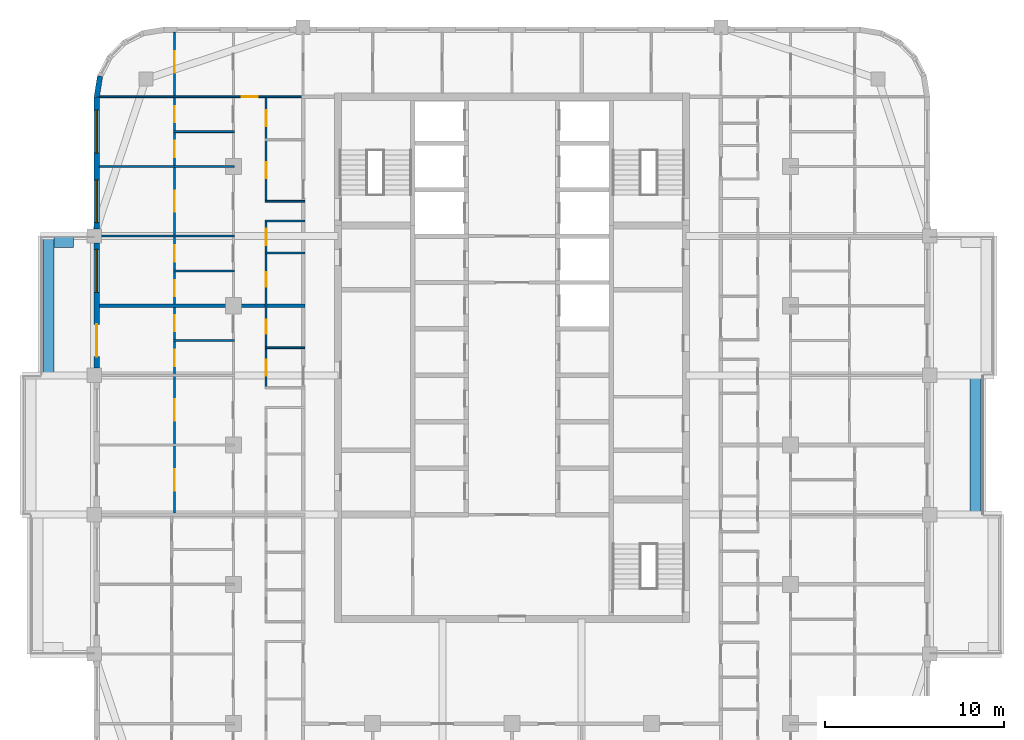
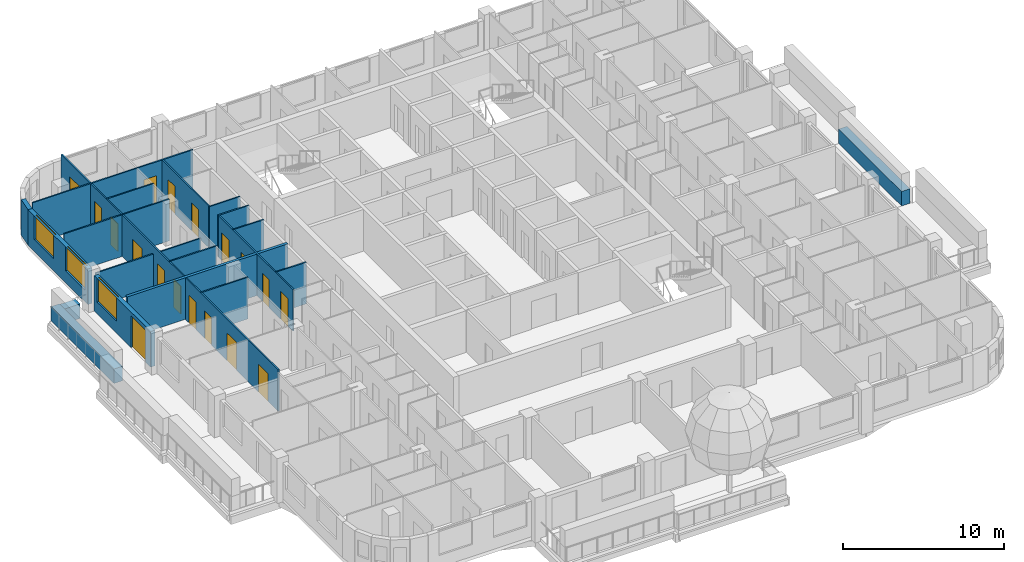
# One storey, part 8 of 17: 20 walls, 18 doors, 3 windows, 21 openings.
"""IFC4 building model written with IfcOpenShell, lengths in metres."""

from ifc_helpers import new_model, si_unit, direction, frame, frame_2d, origin, place, context, subcontext, project, spatial, rectangle, extrude, material, layer, layer_set, type_object, element, fill, save


model = new_model("IFC4")

# Units and contexts
model_context = context("Model", 3, precision=1e-05, world=origin(), true_north=direction((0.0, 1.0)))
body_context = subcontext(model_context, "Body", "Model", "MODEL_VIEW")
ifc_project = project(units=[si_unit("LENGTHUNIT", "METRE"), si_unit("AREAUNIT", "SQUARE_METRE"), si_unit("VOLUMEUNIT", "CUBIC_METRE"), si_unit("PLANEANGLEUNIT", "RADIAN"), si_unit("MASSUNIT", "GRAM", prefix="KILO")], contexts=[model_context])

# Site, building, storey
site_placement = place(None, origin())
site = spatial("IfcSite", under=ifc_project, at=site_placement, CompositionType="ELEMENT")
building_placement = place(site_placement, origin())
building = spatial("IfcBuilding", under=site, at=building_placement, Name="Ludao Terraces", CompositionType="ELEMENT")
storey_placement = place(building_placement, frame((0.0, 0.0, 221.10009765625)))
storey = spatial("IfcBuildingStorey", under=building, at=storey_placement, Name="L60", CompositionType="ELEMENT", Elevation=221.10009765625)

# Walls
ifc_material_1 = material(Name="Concrete C40", Category="concrete")
ifc_layer_1 = layer(ifc_material_1, 0.60009765625)
ifc_layer_set_1 = layer_set([ifc_layer_1], Name="ENV Planter trough 600")
wall_type_1 = type_object("IfcWallType", Name="ENV Planter trough 600", PredefinedType="USERDEFINED", material=ifc_layer_set_1)
wall_1_placement = place(storey_placement, frame((110.949951171875, 61.10009765625, 0.0), z_axis=(0.0, 0.0, 1.0), x_axis=(0.0, 1.0, 0.0)))
element("IfcWall", 1, at=wall_1_placement, inside=storey, type_object=wall_type_1, Name="PL-L60-E2", ObjectType="PLANTER", PredefinedType="USERDEFINED", context=body_context, shape_type="SweptSolid", body=[
    extrude(rectangle(XDim=7.7998046875, YDim=0.60009765625, at=frame_2d((3.89990234375, 0.0))), origin(), (0.0, 0.0, 1.0), 1.099853515625),
])
wall_2_placement = place(storey_placement, frame((59.050048828125, 68.89990234375, 0.0), z_axis=(0.0, 0.0, 1.0), x_axis=(0.0, 1.0, 0.0)))
element("IfcWall", 2, at=wall_2_placement, inside=storey, type_object=wall_type_1, Name="PL-L60-W3", ObjectType="PLANTER", PredefinedType="USERDEFINED", context=body_context, shape_type="SweptSolid", body=[
    extrude(rectangle(XDim=7.800048828125, YDim=0.60009765625, at=frame_2d((3.89990234375, 0.0))), origin(), (0.0, 0.0, 1.0), 1.099853515625),
])
wall_3_placement = place(storey_placement, frame((59.35009765625, 76.35009765625, 0.0), z_axis=(0.0, 0.0, 1.0), x_axis=(1.0, 0.0, 0.0)))
element("IfcWall", 3, at=wall_3_placement, inside=storey, type_object=wall_type_1, Name="PL-L60-W3-SB", ObjectType="PLANTER", PredefinedType="USERDEFINED", context=body_context, shape_type="SweptSolid", body=[
    extrude(rectangle(XDim=1.099853515625, YDim=0.60009765625, at=frame_2d((0.5498046875, 0.0))), origin(), (0.0, 0.0, 1.0), 1.099853515625),
])

# Wall, openings, door, window
ifc_material_2 = material(Name="Granite cladding", Category="masonry")
ifc_layer_2 = layer(ifc_material_2, 0.0400390625, Category="stone")
ifc_material_3 = material(Name="Mineral wool")
ifc_layer_3 = layer(ifc_material_3, 0.06005859375)
ifc_layer_4 = layer(ifc_material_1, 0.199951171875, Category="concrete")
ifc_layer_set_2 = layer_set([ifc_layer_2, ifc_layer_3, ifc_layer_4], Name="ENV Stone-clad wall 300")
wall_type_2 = type_object("IfcWallType", Name="ENV Stone-clad wall 300", PredefinedType="SOLIDWALL", material=ifc_layer_set_2)
wall_4_placement = place(storey_placement, frame((61.75, 69.300048828125, 0.0), z_axis=(0.0, 0.0, 1.0), x_axis=(0.0, 1.0, 0.0)))
wall_4 = element("IfcWall", 4, at=wall_4_placement, inside=storey, type_object=wall_type_2, Name="EW-L60-W4", PredefinedType="SOLIDWALL", context=body_context, shape_type="SweptSolid", body=[
    extrude(rectangle(XDim=7.0, YDim=0.300048828125, at=frame_2d((3.5, 0.0))), origin(), (0.0, 0.0, 1.0), 2.699951171875),
])
opening_1_placement = place(wall_4_placement, frame((0.64990234375, 0.0, 0.0)))
opening_1 = element("IfcOpeningElement", 5, at=opening_1_placement, cuts=wall_4, Name="Opening BD", PredefinedType="OPENING", context=body_context, shape_type="SweptSolid", body=[
    extrude(rectangle(XDim=1.800048828125, YDim=2.39990234375, at=frame_2d((0.89990234375, 1.199951171875))), frame((0.0, 0.16015625, 0.0), z_axis=(0.0, -1.0, 0.0), x_axis=(1.0, 0.0, 0.0)), (0.0, 0.0, 1.0), 0.320068359375),
])
opening_2_placement = place(wall_4_placement, frame((4.25, 0.0, 0.89990234375)))
opening_2 = element("IfcOpeningElement", 6, at=opening_2_placement, cuts=wall_4, Name="Opening W1", PredefinedType="OPENING", context=body_context, shape_type="SweptSolid", body=[
    extrude(rectangle(XDim=2.39990234375, YDim=1.800048828125, at=frame_2d((1.199951171875, 0.89990234375))), frame((0.0, 0.16015625, 0.0), z_axis=(0.0, -1.0, 0.0), x_axis=(1.0, 0.0, 0.0)), (0.0, 0.0, 1.0), 0.320068359375),
])
ifc_material_4 = material(Name="Aluminium glazed door", Category="aluminium")
ifc_layer_5 = layer(ifc_material_4, 0.06005859375)
ifc_layer_set_3 = layer_set([ifc_layer_5], Name="ENV Balcony door BD 1800x2400")
door_type_1 = type_object("IfcDoorType", Name="ENV Balcony door BD 1800x2400", OperationType="DOUBLE_DOOR_SINGLE_SWING", PredefinedType="DOOR", material=ifc_layer_set_3)
door_1_placement = place(opening_1_placement, origin())
door_1 = element("IfcDoor", 7, at=door_1_placement, inside=storey, type_object=door_type_1, Name="BD-L60-W4-1", OperationType="DOUBLE_DOOR_SINGLE_SWING", OverallHeight=2.39990234375, OverallWidth=1.800048828125, PredefinedType="DOOR", context=body_context, shape_type="SweptSolid", body=[
    extrude(rectangle(XDim=1.800048828125, YDim=2.39990234375, at=frame_2d((0.89990234375, 1.199951171875))), frame((0.0, 0.02490234375, 0.0), z_axis=(0.0, -1.0, 0.0), x_axis=(1.0, 0.0, 0.0)), (0.0, 0.0, 1.0), 0.050048828125),
])
fill(opening_1, door_1)
ifc_material_5 = material(Name="Clear glass in aluminium frame", Category="aluminium")
ifc_layer_6 = layer(ifc_material_5, 0.06005859375)
ifc_layer_set_4 = layer_set([ifc_layer_6], Name="ENV Window W1 2400x1800")
window_type = type_object("IfcWindowType", Name="ENV Window W1 2400x1800", PartitioningType="DOUBLE_PANEL_VERTICAL", PredefinedType="WINDOW", material=ifc_layer_set_4)
window_1_placement = place(opening_2_placement, origin())
window_1 = element("IfcWindow", 8, at=window_1_placement, inside=storey, type_object=window_type, Name="W-L60-W4-2", OverallHeight=1.800048828125, OverallWidth=2.39990234375, PartitioningType="DOUBLE_PANEL_VERTICAL", PredefinedType="WINDOW", context=body_context, shape_type="SweptSolid", body=[
    extrude(rectangle(XDim=2.39990234375, YDim=1.800048828125, at=frame_2d((1.199951171875, 0.89990234375))), frame((0.0, 0.030029296875, 0.0), z_axis=(0.0, -1.0, 0.0), x_axis=(1.0, 0.0, 0.0)), (0.0, 0.0, 1.0), 0.06005859375),
])
fill(opening_2, window_1)

# Wall, openings, windows
wall_5_placement = place(storey_placement, frame((61.75, 77.10009765625, 0.0), z_axis=(0.0, 0.0, 1.0), x_axis=(0.0, 1.0, 0.0)))
wall_5 = element("IfcWall", 9, at=wall_5_placement, inside=storey, type_object=wall_type_2, Name="EW-L60-W5", PredefinedType="SOLIDWALL", context=body_context, shape_type="SweptSolid", body=[
    extrude(rectangle(XDim=7.39990234375, YDim=0.300048828125, at=frame_2d((3.699951171875, 0.0))), origin(), (0.0, 0.0, 1.0), 2.699951171875),
])
opening_3_placement = place(wall_5_placement, frame((0.35009765625, 0.0, 0.89990234375)))
opening_3 = element("IfcOpeningElement", 10, at=opening_3_placement, cuts=wall_5, Name="Opening W1", PredefinedType="OPENING", context=body_context, shape_type="SweptSolid", body=[
    extrude(rectangle(XDim=2.39990234375, YDim=1.800048828125, at=frame_2d((1.199951171875, 0.89990234375))), frame((0.0, 0.16015625, 0.0), z_axis=(0.0, -1.0, 0.0), x_axis=(1.0, 0.0, 0.0)), (0.0, 0.0, 1.0), 0.320068359375),
])
opening_4_placement = place(wall_5_placement, frame((4.25, 0.0, 0.89990234375)))
opening_4 = element("IfcOpeningElement", 11, at=opening_4_placement, cuts=wall_5, Name="Opening W1", PredefinedType="OPENING", context=body_context, shape_type="SweptSolid", body=[
    extrude(rectangle(XDim=2.39990234375, YDim=1.800048828125, at=frame_2d((1.199951171875, 0.89990234375))), frame((0.0, 0.16015625, 0.0), z_axis=(0.0, -1.0, 0.0), x_axis=(1.0, 0.0, 0.0)), (0.0, 0.0, 1.0), 0.320068359375),
])
window_2_placement = place(opening_3_placement, origin())
window_2 = element("IfcWindow", 12, at=window_2_placement, inside=storey, type_object=window_type, Name="W-L60-W5-1", OverallHeight=1.800048828125, OverallWidth=2.39990234375, PartitioningType="DOUBLE_PANEL_VERTICAL", PredefinedType="WINDOW", context=body_context, shape_type="SweptSolid", body=[
    extrude(rectangle(XDim=2.39990234375, YDim=1.800048828125, at=frame_2d((1.199951171875, 0.89990234375))), frame((0.0, 0.030029296875, 0.0), z_axis=(0.0, -1.0, 0.0), x_axis=(1.0, 0.0, 0.0)), (0.0, 0.0, 1.0), 0.06005859375),
])
fill(opening_3, window_2)
window_3_placement = place(opening_4_placement, origin())
window_3 = element("IfcWindow", 13, at=window_3_placement, inside=storey, type_object=window_type, Name="W-L60-W5-2", OverallHeight=1.800048828125, OverallWidth=2.39990234375, PartitioningType="DOUBLE_PANEL_VERTICAL", PredefinedType="WINDOW", context=body_context, shape_type="SweptSolid", body=[
    extrude(rectangle(XDim=2.39990234375, YDim=1.800048828125, at=frame_2d((1.199951171875, 0.89990234375))), frame((0.0, 0.030029296875, 0.0), z_axis=(0.0, -1.0, 0.0), x_axis=(1.0, 0.0, 0.0)), (0.0, 0.0, 1.0), 0.06005859375),
])
fill(opening_4, window_3)

# Walls
wall_6_placement = place(storey_placement, frame((61.93359375, 85.65869140625, 0.0), z_axis=(0.0, 0.0, 1.0), x_axis=(-0.156496880861, -0.987678452879, 0.0)))
element("IfcWall", 14, at=wall_6_placement, inside=storey, type_object=wall_type_2, Name="EW-L60-NW5", PredefinedType="SOLIDWALL", context=body_context, shape_type="SweptSolid", body=[
    extrude(rectangle(XDim=1.173095703125, YDim=0.300048828125, at=frame_2d((0.58642578125, 0.0))), origin(), (0.0, 0.0, 1.0), 2.699951171875),
])
ifc_material_6 = material(Name="Gypsum plasterboard", Category="gypsum")
ifc_layer_7 = layer(ifc_material_6, 0.012451171875, Category="gypsum")
ifc_layer_8 = layer(ifc_material_3, 0.06005859375, Name="insulation")
ifc_material_7 = material(Name="Steel Q235", Category="steel")
ifc_layer_9 = layer(ifc_material_7, 0.014892578125, Name="stud")
ifc_layer_10 = layer(ifc_material_6, 0.012451171875, Category="gypsum")
ifc_layer_set_5 = layer_set([ifc_layer_7, ifc_layer_8, ifc_layer_9, ifc_layer_10], Name="INT Partition 100")
wall_type_3 = type_object("IfcWallType", Name="INT Partition 100", PredefinedType="PARTITIONING", material=ifc_layer_set_5)
wall_7_placement = place(storey_placement, frame((71.18017578125, 70.449951171875, 0.0), z_axis=(0.0, 0.0, 1.0), x_axis=(1.0, 0.0, 0.0)))
element("IfcWall", 15, at=wall_7_placement, inside=storey, type_object=wall_type_3, Name="PW-L60-PW041", PredefinedType="PARTITIONING", context=body_context, shape_type="SweptSolid", body=[
    extrude(rectangle(XDim=2.219970703125, YDim=0.10009765625, at=frame_2d((1.10986328125, 0.0))), origin(), (0.0, 0.0, 1.0), 3.14990234375),
])
for number, where, z_axis, x_axis, name in (
    (16, (66.050048828125, 70.85009765625, 0.0), (0.0, 0.0, 1.0), (1.0, 0.0, 0.0), "PW-L60-PW042"),
    (17, (66.050048828125, 74.75, 0.0), (0.0, 0.0, 1.0), (1.0, 0.0, 0.0), "PW-L60-PW049"),
):
    element("IfcWall", number, at=place(storey_placement, frame(where, z_axis=z_axis, x_axis=x_axis)), inside=storey, type_object=wall_type_3, Name=name, PredefinedType="PARTITIONING", context=body_context, shape_type="SweptSolid", body=[
        extrude(rectangle(XDim=3.400146484375, YDim=0.10009765625, at=frame_2d((1.7001953125, 0.0))), origin(), (0.0, 0.0, 1.0), 3.14990234375),
    ])
wall_8_placement = place(storey_placement, frame((71.18017578125, 75.75, 0.0), z_axis=(0.0, 0.0, 1.0), x_axis=(1.0, 0.0, 0.0)))
element("IfcWall", 18, at=wall_8_placement, inside=storey, type_object=wall_type_3, Name="PW-L60-PW051", PredefinedType="PARTITIONING", context=body_context, shape_type="SweptSolid", body=[
    extrude(rectangle(XDim=2.219970703125, YDim=0.10009765625, at=frame_2d((1.10986328125, 0.0))), origin(), (0.0, 0.0, 1.0), 3.14990234375),
])
wall_9_placement = place(storey_placement, frame((61.900146484375, 76.699951171875, 0.0), z_axis=(0.0, 0.0, 1.0), x_axis=(1.0, 0.0, 0.0)))
element("IfcWall", 19, at=wall_9_placement, inside=storey, type_object=wall_type_3, Name="PW-L60-PW052", PredefinedType="PARTITIONING", context=body_context, shape_type="SweptSolid", body=[
    extrude(rectangle(XDim=7.550048828125, YDim=0.10009765625, at=frame_2d((3.77490234375, 0.0))), origin(), (0.0, 0.0, 1.0), 2.5498046875),
])
for number, where, z_axis, x_axis, name in (
    (20, (71.18017578125, 77.550048828125, 0.0), (0.0, 0.0, 1.0), (1.0, 0.0, 0.0), "PW-L60-PW055"),
    (21, (71.18017578125, 78.64990234375, 0.0), (0.0, 0.0, 1.0), (1.0, 0.0, 0.0), "PW-L60-PW056"),
):
    element("IfcWall", number, at=place(storey_placement, frame(where, z_axis=z_axis, x_axis=x_axis)), inside=storey, type_object=wall_type_3, Name=name, PredefinedType="PARTITIONING", context=body_context, shape_type="SweptSolid", body=[
        extrude(rectangle(XDim=2.219970703125, YDim=0.10009765625, at=frame_2d((1.10986328125, 0.0))), origin(), (0.0, 0.0, 1.0), 3.14990234375),
    ])
wall_10_placement = place(storey_placement, frame((61.900146484375, 80.60009765625, 0.0), z_axis=(0.0, 0.0, 1.0), x_axis=(1.0, 0.0, 0.0)))
element("IfcWall", 22, at=wall_10_placement, inside=storey, type_object=wall_type_3, Name="PW-L60-PW059", PredefinedType="PARTITIONING", context=body_context, shape_type="SweptSolid", body=[
    extrude(rectangle(XDim=7.550048828125, YDim=0.10009765625, at=frame_2d((3.77490234375, 0.0))), origin(), (0.0, 0.0, 1.0), 3.14990234375),
])
wall_11_placement = place(storey_placement, frame((66.050048828125, 82.550048828125, 0.0), z_axis=(0.0, 0.0, 1.0), x_axis=(1.0, 0.0, 0.0)))
element("IfcWall", 23, at=wall_11_placement, inside=storey, type_object=wall_type_3, Name="PW-L60-PW063", PredefinedType="PARTITIONING", context=body_context, shape_type="SweptSolid", body=[
    extrude(rectangle(XDim=3.400146484375, YDim=0.10009765625, at=frame_2d((1.7001953125, 0.0))), origin(), (0.0, 0.0, 1.0), 3.14990234375),
])

# Wall, opening, door
wall_12_placement = place(storey_placement, frame((61.900146484375, 84.5, 0.0), z_axis=(0.0, 0.0, 1.0), x_axis=(1.0, 0.0, 0.0)))
wall_12 = element("IfcWall", 24, at=wall_12_placement, inside=storey, type_object=wall_type_3, Name="PW-L60-PW066", PredefinedType="PARTITIONING", context=body_context, shape_type="SweptSolid", body=[
    extrude(rectangle(XDim=11.5, YDim=0.10009765625, at=frame_2d((5.75, 0.0))), origin(), (0.0, 0.0, 1.0), 3.14990234375),
])
opening_5_placement = place(wall_12_placement, frame((7.965087890625, 0.0, 0.0)))
opening_5 = element("IfcOpeningElement", 25, at=opening_5_placement, cuts=wall_12, Name="Opening R21-133", PredefinedType="OPENING", context=body_context, shape_type="SweptSolid", body=[
    extrude(rectangle(XDim=0.89990234375, YDim=2.10009765625, at=frame_2d((0.449951171875, 1.050048828125))), frame((0.0, 0.06005859375, 0.0), z_axis=(0.0, -1.0, 0.0), x_axis=(1.0, 0.0, 0.0)), (0.0, 0.0, 1.0), 0.1201171875),
])
ifc_material_8 = material(Name="Timber door leaf", Category="wood")
door_type_2 = type_object("IfcDoorType", Name="INT Room door 900", OperationType="SINGLE_SWING_LEFT", PredefinedType="DOOR", material=ifc_material_8)
door_2_placement = place(opening_5_placement, origin())
door_2 = element("IfcDoor", 26, at=door_2_placement, inside=storey, type_object=door_type_2, Name="DOOR 133", OperationType="SINGLE_SWING_RIGHT", OverallHeight=2.10009765625, OverallWidth=0.89990234375, PredefinedType="DOOR", context=body_context, shape_type="SweptSolid", body=[
    extrude(rectangle(XDim=0.89990234375, YDim=2.10009765625, at=frame_2d((0.449951171875, 1.050048828125))), frame((0.0, 0.02490234375, 0.0), z_axis=(0.0, -1.0, 0.0), x_axis=(1.0, 0.0, 0.0)), (0.0, 0.0, 1.0), 0.050048828125),
])
fill(opening_5, door_2)

# Wall, openings, doors
wall_13_placement = place(storey_placement, frame((66.10009765625, 61.2001953125, 0.0), z_axis=(0.0, 0.0, 1.0), x_axis=(0.0, 1.0, 0.0)))
wall_13 = element("IfcWall", 27, at=wall_13_placement, inside=storey, type_object=wall_type_3, Name="PW-L60-PW071", PredefinedType="PARTITIONING", context=body_context, shape_type="SweptSolid", body=[
    extrude(rectangle(XDim=26.89990234375, YDim=0.10009765625, at=frame_2d((13.449951171875, 0.0))), origin(), (0.0, 0.0, 1.0), 3.14990234375),
])
opening_6_placement = place(wall_13_placement, frame((1.25, 0.0, 0.0)))
opening_6 = element("IfcOpeningElement", 28, at=opening_6_placement, cuts=wall_13, Name="Opening R21-057", PredefinedType="OPENING", context=body_context, shape_type="SweptSolid", body=[
    extrude(rectangle(XDim=1.199951171875, YDim=2.10009765625, at=frame_2d((0.60009765625, 1.050048828125))), frame((0.0, 0.06005859375, 0.0), z_axis=(0.0, -1.0, 0.0), x_axis=(1.0, 0.0, 0.0)), (0.0, 0.0, 1.0), 0.1201171875),
])
opening_7_placement = place(wall_13_placement, frame((5.14990234375, 0.0, 0.0)))
opening_7 = element("IfcOpeningElement", 29, at=opening_7_placement, cuts=wall_13, Name="Opening R21-068", PredefinedType="OPENING", context=body_context, shape_type="SweptSolid", body=[
    extrude(rectangle(XDim=1.199951171875, YDim=2.10009765625, at=frame_2d((0.60009765625, 1.050048828125))), frame((0.0, 0.06005859375, 0.0), z_axis=(0.0, -1.0, 0.0), x_axis=(1.0, 0.0, 0.0)), (0.0, 0.0, 1.0), 0.1201171875),
])
opening_8_placement = place(wall_13_placement, frame((8.224853515625, 0.0, 0.0)))
opening_8 = element("IfcOpeningElement", 30, at=opening_8_placement, cuts=wall_13, Name="Opening R21-078", PredefinedType="OPENING", context=body_context, shape_type="SweptSolid", body=[
    extrude(rectangle(XDim=0.89990234375, YDim=2.10009765625, at=frame_2d((0.449951171875, 1.050048828125))), frame((0.0, 0.06005859375, 0.0), z_axis=(0.0, -1.0, 0.0), x_axis=(1.0, 0.0, 0.0)), (0.0, 0.0, 1.0), 0.1201171875),
])
opening_9_placement = place(wall_13_placement, frame((10.1748046875, 0.0, 0.0)))
opening_9 = element("IfcOpeningElement", 31, at=opening_9_placement, cuts=wall_13, Name="Opening R21-087", PredefinedType="OPENING", context=body_context, shape_type="SweptSolid", body=[
    extrude(rectangle(XDim=0.89990234375, YDim=2.10009765625, at=frame_2d((0.449951171875, 1.050048828125))), frame((0.0, 0.06005859375, 0.0), z_axis=(0.0, -1.0, 0.0), x_axis=(1.0, 0.0, 0.0)), (0.0, 0.0, 1.0), 0.1201171875),
])
opening_10_placement = place(wall_13_placement, frame((12.125, 0.0, 0.0)))
opening_10 = element("IfcOpeningElement", 32, at=opening_10_placement, cuts=wall_13, Name="Opening R21-092", PredefinedType="OPENING", context=body_context, shape_type="SweptSolid", body=[
    extrude(rectangle(XDim=0.89990234375, YDim=2.10009765625, at=frame_2d((0.449951171875, 1.050048828125))), frame((0.0, 0.06005859375, 0.0), z_axis=(0.0, -1.0, 0.0), x_axis=(1.0, 0.0, 0.0)), (0.0, 0.0, 1.0), 0.1201171875),
])
opening_11_placement = place(wall_13_placement, frame((14.074951171875, 0.0, 0.0)))
opening_11 = element("IfcOpeningElement", 33, at=opening_11_placement, cuts=wall_13, Name="Opening R21-101", PredefinedType="OPENING", context=body_context, shape_type="SweptSolid", body=[
    extrude(rectangle(XDim=0.89990234375, YDim=2.10009765625, at=frame_2d((0.449951171875, 1.050048828125))), frame((0.0, 0.06005859375, 0.0), z_axis=(0.0, -1.0, 0.0), x_axis=(1.0, 0.0, 0.0)), (0.0, 0.0, 1.0), 0.1201171875),
])
opening_12_placement = place(wall_13_placement, frame((16.849853515625, 0.0, 0.0)))
opening_12 = element("IfcOpeningElement", 34, at=opening_12_placement, cuts=wall_13, Name="Opening R21-112", PredefinedType="OPENING", context=body_context, shape_type="SweptSolid", body=[
    extrude(rectangle(XDim=1.199951171875, YDim=2.10009765625, at=frame_2d((0.60009765625, 1.050048828125))), frame((0.0, 0.06005859375, 0.0), z_axis=(0.0, -1.0, 0.0), x_axis=(1.0, 0.0, 0.0)), (0.0, 0.0, 1.0), 0.1201171875),
])
opening_13_placement = place(wall_13_placement, frame((19.9248046875, 0.0, 0.0)))
opening_13 = element("IfcOpeningElement", 35, at=opening_13_placement, cuts=wall_13, Name="Opening R21-122", PredefinedType="OPENING", context=body_context, shape_type="SweptSolid", body=[
    extrude(rectangle(XDim=0.89990234375, YDim=2.10009765625, at=frame_2d((0.449951171875, 1.050048828125))), frame((0.0, 0.06005859375, 0.0), z_axis=(0.0, -1.0, 0.0), x_axis=(1.0, 0.0, 0.0)), (0.0, 0.0, 1.0), 0.1201171875),
])
opening_14_placement = place(wall_13_placement, frame((21.875, 0.0, 0.0)))
opening_14 = element("IfcOpeningElement", 36, at=opening_14_placement, cuts=wall_13, Name="Opening R21-128", PredefinedType="OPENING", context=body_context, shape_type="SweptSolid", body=[
    extrude(rectangle(XDim=0.89990234375, YDim=2.10009765625, at=frame_2d((0.449951171875, 1.050048828125))), frame((0.0, 0.06005859375, 0.0), z_axis=(0.0, -1.0, 0.0), x_axis=(1.0, 0.0, 0.0)), (0.0, 0.0, 1.0), 0.1201171875),
])
opening_15_placement = place(wall_13_placement, frame((24.64990234375, 0.0, 0.0)))
opening_15 = element("IfcOpeningElement", 37, at=opening_15_placement, cuts=wall_13, Name="Opening R21-135", PredefinedType="OPENING", context=body_context, shape_type="SweptSolid", body=[
    extrude(rectangle(XDim=1.199951171875, YDim=2.10009765625, at=frame_2d((0.60009765625, 1.050048828125))), frame((0.0, 0.06005859375, 0.0), z_axis=(0.0, -1.0, 0.0), x_axis=(1.0, 0.0, 0.0)), (0.0, 0.0, 1.0), 0.1201171875),
])
door_type_3 = type_object("IfcDoorType", Name="INT Bathroom door 900", OperationType="SINGLE_SWING_LEFT", PredefinedType="DOOR", material=ifc_material_8)
door_3_placement = place(opening_8_placement, origin())
door_3 = element("IfcDoor", 38, at=door_3_placement, inside=storey, type_object=door_type_3, Name="DOOR 078", OperationType="SINGLE_SWING_RIGHT", OverallHeight=2.10009765625, OverallWidth=0.89990234375, PredefinedType="DOOR", context=body_context, shape_type="SweptSolid", body=[
    extrude(rectangle(XDim=0.89990234375, YDim=2.10009765625, at=frame_2d((0.449951171875, 1.050048828125))), frame((0.0, 0.02490234375, 0.0), z_axis=(0.0, -1.0, 0.0), x_axis=(1.0, 0.0, 0.0)), (0.0, 0.0, 1.0), 0.050048828125),
])
fill(opening_8, door_3)
door_4_placement = place(opening_10_placement, origin())
door_4 = element("IfcDoor", 39, at=door_4_placement, inside=storey, type_object=door_type_3, Name="DOOR 092", OperationType="SINGLE_SWING_RIGHT", OverallHeight=2.10009765625, OverallWidth=0.89990234375, PredefinedType="DOOR", context=body_context, shape_type="SweptSolid", body=[
    extrude(rectangle(XDim=0.89990234375, YDim=2.10009765625, at=frame_2d((0.449951171875, 1.050048828125))), frame((0.0, 0.02490234375, 0.0), z_axis=(0.0, -1.0, 0.0), x_axis=(1.0, 0.0, 0.0)), (0.0, 0.0, 1.0), 0.050048828125),
])
fill(opening_10, door_4)
door_5_placement = place(opening_13_placement, origin())
door_5 = element("IfcDoor", 40, at=door_5_placement, inside=storey, type_object=door_type_3, Name="DOOR 122", OperationType="SINGLE_SWING_LEFT", OverallHeight=2.10009765625, OverallWidth=0.89990234375, PredefinedType="DOOR", context=body_context, shape_type="SweptSolid", body=[
    extrude(rectangle(XDim=0.89990234375, YDim=2.10009765625, at=frame_2d((0.449951171875, 1.050048828125))), frame((0.0, 0.02490234375, 0.0), z_axis=(0.0, -1.0, 0.0), x_axis=(1.0, 0.0, 0.0)), (0.0, 0.0, 1.0), 0.050048828125),
])
fill(opening_13, door_5)
door_type_4 = type_object("IfcDoorType", Name="INT Double door 1200", OperationType="DOUBLE_DOOR_SINGLE_SWING", PredefinedType="DOOR", material=ifc_material_8)
door_6_placement = place(opening_6_placement, origin())
door_6 = element("IfcDoor", 41, at=door_6_placement, inside=storey, type_object=door_type_4, Name="DOOR 057", OperationType="DOUBLE_DOOR_SINGLE_SWING", OverallHeight=2.10009765625, OverallWidth=1.199951171875, PredefinedType="DOOR", context=body_context, shape_type="SweptSolid", body=[
    extrude(rectangle(XDim=1.199951171875, YDim=2.10009765625, at=frame_2d((0.60009765625, 1.050048828125))), frame((0.0, 0.02490234375, 0.0), z_axis=(0.0, -1.0, 0.0), x_axis=(1.0, 0.0, 0.0)), (0.0, 0.0, 1.0), 0.050048828125),
])
fill(opening_6, door_6)
door_7_placement = place(opening_7_placement, origin())
door_7 = element("IfcDoor", 42, at=door_7_placement, inside=storey, type_object=door_type_4, Name="DOOR 068", OperationType="DOUBLE_DOOR_SINGLE_SWING", OverallHeight=2.10009765625, OverallWidth=1.199951171875, PredefinedType="DOOR", context=body_context, shape_type="SweptSolid", body=[
    extrude(rectangle(XDim=1.199951171875, YDim=2.10009765625, at=frame_2d((0.60009765625, 1.050048828125))), frame((0.0, 0.02490234375, 0.0), z_axis=(0.0, -1.0, 0.0), x_axis=(1.0, 0.0, 0.0)), (0.0, 0.0, 1.0), 0.050048828125),
])
fill(opening_7, door_7)
door_8_placement = place(opening_12_placement, origin())
door_8 = element("IfcDoor", 43, at=door_8_placement, inside=storey, type_object=door_type_4, Name="DOOR 112", OperationType="DOUBLE_DOOR_SINGLE_SWING", OverallHeight=2.10009765625, OverallWidth=1.199951171875, PredefinedType="DOOR", context=body_context, shape_type="SweptSolid", body=[
    extrude(rectangle(XDim=1.199951171875, YDim=2.10009765625, at=frame_2d((0.60009765625, 1.050048828125))), frame((0.0, 0.02490234375, 0.0), z_axis=(0.0, -1.0, 0.0), x_axis=(1.0, 0.0, 0.0)), (0.0, 0.0, 1.0), 0.050048828125),
])
fill(opening_12, door_8)
door_9_placement = place(opening_15_placement, origin())
door_9 = element("IfcDoor", 44, at=door_9_placement, inside=storey, type_object=door_type_4, Name="DOOR 135", OperationType="DOUBLE_DOOR_SINGLE_SWING", OverallHeight=2.10009765625, OverallWidth=1.199951171875, PredefinedType="DOOR", context=body_context, shape_type="SweptSolid", body=[
    extrude(rectangle(XDim=1.199951171875, YDim=2.10009765625, at=frame_2d((0.60009765625, 1.050048828125))), frame((0.0, 0.02490234375, 0.0), z_axis=(0.0, -1.0, 0.0), x_axis=(1.0, 0.0, 0.0)), (0.0, 0.0, 1.0), 0.050048828125),
])
fill(opening_15, door_9)
door_10_placement = place(opening_9_placement, origin())
door_10 = element("IfcDoor", 45, at=door_10_placement, inside=storey, type_object=door_type_2, Name="DOOR 087", OperationType="SINGLE_SWING_RIGHT", OverallHeight=2.10009765625, OverallWidth=0.89990234375, PredefinedType="DOOR", context=body_context, shape_type="SweptSolid", body=[
    extrude(rectangle(XDim=0.89990234375, YDim=2.10009765625, at=frame_2d((0.449951171875, 1.050048828125))), frame((0.0, 0.02490234375, 0.0), z_axis=(0.0, -1.0, 0.0), x_axis=(1.0, 0.0, 0.0)), (0.0, 0.0, 1.0), 0.050048828125),
])
fill(opening_9, door_10)
door_11_placement = place(opening_11_placement, origin())
door_11 = element("IfcDoor", 46, at=door_11_placement, inside=storey, type_object=door_type_2, Name="DOOR 101", OperationType="SINGLE_SWING_RIGHT", OverallHeight=2.10009765625, OverallWidth=0.89990234375, PredefinedType="DOOR", context=body_context, shape_type="SweptSolid", body=[
    extrude(rectangle(XDim=0.89990234375, YDim=2.10009765625, at=frame_2d((0.449951171875, 1.050048828125))), frame((0.0, 0.02490234375, 0.0), z_axis=(0.0, -1.0, 0.0), x_axis=(1.0, 0.0, 0.0)), (0.0, 0.0, 1.0), 0.050048828125),
])
fill(opening_11, door_11)
door_12_placement = place(opening_14_placement, origin())
door_12 = element("IfcDoor", 47, at=door_12_placement, inside=storey, type_object=door_type_2, Name="DOOR 128", OperationType="SINGLE_SWING_RIGHT", OverallHeight=2.10009765625, OverallWidth=0.89990234375, PredefinedType="DOOR", context=body_context, shape_type="SweptSolid", body=[
    extrude(rectangle(XDim=0.89990234375, YDim=2.10009765625, at=frame_2d((0.449951171875, 1.050048828125))), frame((0.0, 0.02490234375, 0.0), z_axis=(0.0, -1.0, 0.0), x_axis=(1.0, 0.0, 0.0)), (0.0, 0.0, 1.0), 0.050048828125),
])
fill(opening_14, door_12)

wall_14_placement = place(storey_placement, frame((71.22998046875, 68.25, 0.0), z_axis=(0.0, 0.0, 1.0), x_axis=(0.0, 1.0, 0.0)))
wall_14 = element("IfcWall", 48, at=wall_14_placement, inside=storey, type_object=wall_type_3, Name="PW-L60-PW075", PredefinedType="PARTITIONING", context=body_context, shape_type="SweptSolid", body=[
    extrude(rectangle(XDim=9.25, YDim=0.10009765625, at=frame_2d((4.625, 0.0))), origin(), (0.0, 0.0, 1.0), 3.14990234375),
])
opening_16_placement = place(wall_14_placement, frame((0.625, 0.0, 0.0)))
opening_16 = element("IfcOpeningElement", 49, at=opening_16_placement, cuts=wall_14, Name="Opening R21-077", PredefinedType="OPENING", context=body_context, shape_type="SweptSolid", body=[
    extrude(rectangle(XDim=0.89990234375, YDim=2.10009765625, at=frame_2d((0.449951171875, 1.050048828125))), frame((0.0, 0.06005859375, 0.0), z_axis=(0.0, -1.0, 0.0), x_axis=(1.0, 0.0, 0.0)), (0.0, 0.0, 1.0), 0.1201171875),
])
opening_17_placement = place(wall_14_placement, frame((2.97509765625, 0.0, 0.0)))
opening_17 = element("IfcOpeningElement", 50, at=opening_17_placement, cuts=wall_14, Name="Opening R21-084", PredefinedType="OPENING", context=body_context, shape_type="SweptSolid", body=[
    extrude(rectangle(XDim=0.800048828125, YDim=2.10009765625, at=frame_2d((0.39990234375, 1.050048828125))), frame((0.0, 0.06005859375, 0.0), z_axis=(0.0, -1.0, 0.0), x_axis=(1.0, 0.0, 0.0)), (0.0, 0.0, 1.0), 0.1201171875),
])
opening_18_placement = place(wall_14_placement, frame((5.625, 0.0, 0.0)))
opening_18 = element("IfcOpeningElement", 51, at=opening_18_placement, cuts=wall_14, Name="Opening R21-095", PredefinedType="OPENING", context=body_context, shape_type="SweptSolid", body=[
    extrude(rectangle(XDim=0.800048828125, YDim=2.10009765625, at=frame_2d((0.39990234375, 1.050048828125))), frame((0.0, 0.06005859375, 0.0), z_axis=(0.0, -1.0, 0.0), x_axis=(1.0, 0.0, 0.0)), (0.0, 0.0, 1.0), 0.1201171875),
])
opening_19_placement = place(wall_14_placement, frame((7.9501953125, 0.0, 0.0)))
opening_19 = element("IfcOpeningElement", 52, at=opening_19_placement, cuts=wall_14, Name="Opening R21-105", PredefinedType="OPENING", context=body_context, shape_type="SweptSolid", body=[
    extrude(rectangle(XDim=0.89990234375, YDim=2.10009765625, at=frame_2d((0.449951171875, 1.050048828125))), frame((0.0, 0.06005859375, 0.0), z_axis=(0.0, -1.0, 0.0), x_axis=(1.0, 0.0, 0.0)), (0.0, 0.0, 1.0), 0.1201171875),
])
door_13_placement = place(opening_16_placement, origin())
door_13 = element("IfcDoor", 53, at=door_13_placement, inside=storey, type_object=door_type_3, Name="DOOR 077", OperationType="SINGLE_SWING_RIGHT", OverallHeight=2.10009765625, OverallWidth=0.89990234375, PredefinedType="DOOR", context=body_context, shape_type="SweptSolid", body=[
    extrude(rectangle(XDim=0.89990234375, YDim=2.10009765625, at=frame_2d((0.449951171875, 1.050048828125))), frame((0.0, 0.02490234375, 0.0), z_axis=(0.0, -1.0, 0.0), x_axis=(1.0, 0.0, 0.0)), (0.0, 0.0, 1.0), 0.050048828125),
])
fill(opening_16, door_13)
door_14_placement = place(opening_19_placement, origin())
door_14 = element("IfcDoor", 54, at=door_14_placement, inside=storey, type_object=door_type_3, Name="DOOR 105", OperationType="SINGLE_SWING_LEFT", OverallHeight=2.10009765625, OverallWidth=0.89990234375, PredefinedType="DOOR", context=body_context, shape_type="SweptSolid", body=[
    extrude(rectangle(XDim=0.89990234375, YDim=2.10009765625, at=frame_2d((0.449951171875, 1.050048828125))), frame((0.0, 0.02490234375, 0.0), z_axis=(0.0, -1.0, 0.0), x_axis=(1.0, 0.0, 0.0)), (0.0, 0.0, 1.0), 0.050048828125),
])
fill(opening_19, door_14)
door_type_5 = type_object("IfcDoorType", Name="INT Store door 800", OperationType="SINGLE_SWING_LEFT", PredefinedType="DOOR", material=ifc_material_8)
door_15_placement = place(opening_17_placement, origin())
door_15 = element("IfcDoor", 55, at=door_15_placement, inside=storey, type_object=door_type_5, Name="DOOR 084", OperationType="SINGLE_SWING_RIGHT", OverallHeight=2.10009765625, OverallWidth=0.800048828125, PredefinedType="DOOR", context=body_context, shape_type="SweptSolid", body=[
    extrude(rectangle(XDim=0.800048828125, YDim=2.10009765625, at=frame_2d((0.39990234375, 1.050048828125))), frame((0.0, 0.02490234375, 0.0), z_axis=(0.0, -1.0, 0.0), x_axis=(1.0, 0.0, 0.0)), (0.0, 0.0, 1.0), 0.050048828125),
])
fill(opening_17, door_15)
door_16_placement = place(opening_18_placement, origin())
door_16 = element("IfcDoor", 56, at=door_16_placement, inside=storey, type_object=door_type_5, Name="DOOR 095", OperationType="SINGLE_SWING_RIGHT", OverallHeight=2.10009765625, OverallWidth=0.800048828125, PredefinedType="DOOR", context=body_context, shape_type="SweptSolid", body=[
    extrude(rectangle(XDim=0.800048828125, YDim=2.10009765625, at=frame_2d((0.39990234375, 1.050048828125))), frame((0.0, 0.02490234375, 0.0), z_axis=(0.0, -1.0, 0.0), x_axis=(1.0, 0.0, 0.0)), (0.0, 0.0, 1.0), 0.050048828125),
])
fill(opening_18, door_16)

wall_15_placement = place(storey_placement, frame((71.22998046875, 78.7001953125, 0.0), z_axis=(0.0, 0.0, 1.0), x_axis=(0.0, 1.0, 0.0)))
wall_15 = element("IfcWall", 57, at=wall_15_placement, inside=storey, type_object=wall_type_3, Name="PW-L60-PW076", PredefinedType="PARTITIONING", context=body_context, shape_type="SweptSolid", body=[
    extrude(rectangle(XDim=5.75, YDim=0.10009765625, at=frame_2d((2.875, 0.0))), origin(), (0.0, 0.0, 1.0), 3.14990234375),
])
opening_20_placement = place(wall_15_placement, frame((1.224853515625, 0.0, 0.0)))
opening_20 = element("IfcOpeningElement", 58, at=opening_20_placement, cuts=wall_15, Name="Opening R21-117", PredefinedType="OPENING", context=body_context, shape_type="SweptSolid", body=[
    extrude(rectangle(XDim=0.89990234375, YDim=2.10009765625, at=frame_2d((0.449951171875, 1.050048828125))), frame((0.0, 0.06005859375, 0.0), z_axis=(0.0, -1.0, 0.0), x_axis=(1.0, 0.0, 0.0)), (0.0, 0.0, 1.0), 0.1201171875),
])
opening_21_placement = place(wall_15_placement, frame((4.14990234375, 0.0, 0.0)))
opening_21 = element("IfcOpeningElement", 59, at=opening_21_placement, cuts=wall_15, Name="Opening R21-127", PredefinedType="OPENING", context=body_context, shape_type="SweptSolid", body=[
    extrude(rectangle(XDim=0.89990234375, YDim=2.10009765625, at=frame_2d((0.449951171875, 1.050048828125))), frame((0.0, 0.06005859375, 0.0), z_axis=(0.0, -1.0, 0.0), x_axis=(1.0, 0.0, 0.0)), (0.0, 0.0, 1.0), 0.1201171875),
])
door_17_placement = place(opening_21_placement, origin())
door_17 = element("IfcDoor", 60, at=door_17_placement, inside=storey, type_object=door_type_3, Name="DOOR 127", OperationType="SINGLE_SWING_RIGHT", OverallHeight=2.10009765625, OverallWidth=0.89990234375, PredefinedType="DOOR", context=body_context, shape_type="SweptSolid", body=[
    extrude(rectangle(XDim=0.89990234375, YDim=2.10009765625, at=frame_2d((0.449951171875, 1.050048828125))), frame((0.0, 0.02490234375, 0.0), z_axis=(0.0, -1.0, 0.0), x_axis=(1.0, 0.0, 0.0)), (0.0, 0.0, 1.0), 0.050048828125),
])
fill(opening_21, door_17)
door_18_placement = place(opening_20_placement, origin())
door_18 = element("IfcDoor", 61, at=door_18_placement, inside=storey, type_object=door_type_2, Name="DOOR 117", OperationType="SINGLE_SWING_RIGHT", OverallHeight=2.10009765625, OverallWidth=0.89990234375, PredefinedType="DOOR", context=body_context, shape_type="SweptSolid", body=[
    extrude(rectangle(XDim=0.89990234375, YDim=2.10009765625, at=frame_2d((0.449951171875, 1.050048828125))), frame((0.0, 0.02490234375, 0.0), z_axis=(0.0, -1.0, 0.0), x_axis=(1.0, 0.0, 0.0)), (0.0, 0.0, 1.0), 0.050048828125),
])
fill(opening_20, door_18)

# Wall
ifc_material_9 = material(Name="Autoclaved aerated concrete block B06 A3.5", Category="concrete")
ifc_layer_11 = layer(ifc_material_9, 0.199951171875)
ifc_layer_set_6 = layer_set([ifc_layer_11], Name="INT Party wall 200")
wall_type_4 = type_object("IfcWallType", Name="INT Party wall 200", PredefinedType="PARTITIONING", material=ifc_layer_set_6)
wall_16_placement = place(storey_placement, frame((61.900146484375, 72.800048828125, 0.0), z_axis=(0.0, 0.0, 1.0), x_axis=(1.0, 0.0, 0.0)))
element("IfcWall", 62, at=wall_16_placement, inside=storey, type_object=wall_type_4, Name="PW-L60-PW045", PredefinedType="PARTITIONING", context=body_context, shape_type="SweptSolid", body=[
    extrude(rectangle(XDim=11.5, YDim=0.199951171875, at=frame_2d((5.75, 0.0))), origin(), (0.0, 0.0, 1.0), 3.14990234375),
])

save(model, "model.ifc")
